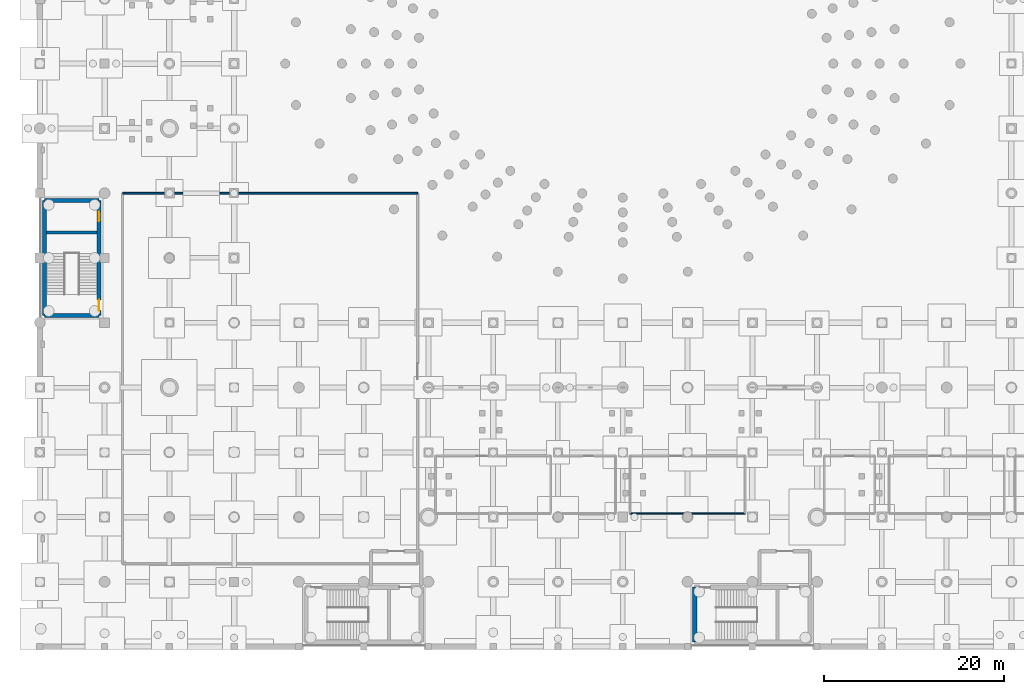
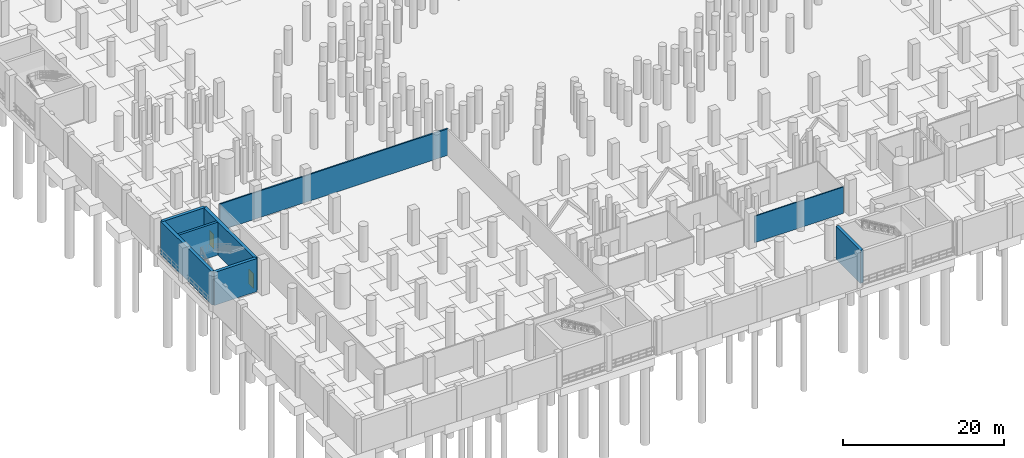
# One storey, part 23 of 37: 8 walls, 2 doors, 2 openings.
"""IFC4 building model written with IfcOpenShell, lengths in metres."""

from ifc_helpers import new_model, si_unit, direction, frame, frame_2d, origin, place, context, subcontext, project, spatial, rectangle, extrude, material, layer, layer_set, type_object, element, fill, save


model = new_model("IFC4")

# Units and contexts
model_context = context("Model", 3, precision=1e-05, world=origin(), true_north=direction((0.0, 1.0)))
body_context = subcontext(model_context, "Body", "Model", "MODEL_VIEW")
ifc_project = project(units=[si_unit("LENGTHUNIT", "METRE"), si_unit("AREAUNIT", "SQUARE_METRE"), si_unit("VOLUMEUNIT", "CUBIC_METRE"), si_unit("PLANEANGLEUNIT", "RADIAN"), si_unit("MASSUNIT", "GRAM", prefix="KILO")], contexts=[model_context])

# Site, building, storey
site_placement = place(None, origin())
site = spatial("IfcSite", under=ifc_project, at=site_placement, CompositionType="ELEMENT")
building_placement = place(site_placement, origin())
building = spatial("IfcBuilding", under=site, at=building_placement, Name="Qandorah Velis Arena", CompositionType="ELEMENT")
storey_placement = place(building_placement, frame((0.0, 0.0, -5.39990234375)))
storey = spatial("IfcBuildingStorey", under=building, at=storey_placement, Name="B1", CompositionType="ELEMENT", Elevation=-5.39990234375)

# Walls
ifc_material_1 = material(Name="Concrete C35/45", Category="concrete")
ifc_layer_1 = layer(ifc_material_1, 0.199951171875)
ifc_layer_set_1 = layer_set([ifc_layer_1], Name="Concrete C35/45")
wall_type_1 = type_object("IfcWallType", Name="ARC-WAL-FD60-200", PredefinedType="PARTITIONING", material=ifc_layer_set_1)
wall_1_placement = place(storey_placement, frame((42.0, 50.39990234375, 0.0), z_axis=(0.0, 0.0, 1.0), x_axis=(-1.0, 0.0, 0.0)))
element("IfcWall", 1, at=wall_1_placement, inside=storey, type_object=wall_type_1, Name="Interior partition B1-CP-HALL (N)", PredefinedType="PARTITIONING", context=body_context, shape_type="SweptSolid", body=[
    extrude(rectangle(XDim=32.800048828125, YDim=0.199951171875, at=frame_2d((16.39990234375, 0.0))), origin(), (0.0, 0.0, 1.0), 4.039794921875),
])
ifc_layer_2 = layer(ifc_material_1, 0.14990234375)
ifc_layer_set_2 = layer_set([ifc_layer_2], Name="Concrete C35/45")
wall_type_2 = type_object("IfcWallType", Name="ARC-WAL-PART150", PredefinedType="PARTITIONING", material=ifc_layer_set_2)
wall_2_placement = place(storey_placement, frame((65.60009765625, 14.800048828125, 0.0), z_axis=(0.0, 0.0, 1.0), x_axis=(1.0, 0.0, 0.0)))
element("IfcWall", 2, at=wall_2_placement, inside=storey, type_object=wall_type_2, Name="Interior partition B1-ATH-AWAY (S)", PredefinedType="PARTITIONING", context=body_context, shape_type="SweptSolid", body=[
    extrude(rectangle(XDim=12.7998046875, YDim=0.14990234375, at=frame_2d((6.39990234375, 0.0))), origin(), (0.0, 0.0, 1.0), 4.039794921875),
])
ifc_material_2 = material(Name="Concrete C40/50", Category="concrete")
ifc_layer_3 = layer(ifc_material_2, 0.449951171875)
ifc_layer_set_3 = layer_set([ifc_layer_3], Name="Concrete C40/50")
wall_type_3 = type_object("IfcWallType", Name="STR-WAL-CORE450", PredefinedType="SHEAR", material=ifc_layer_set_3)
for number, where, z_axis, x_axis, name in (
    (3, (72.800048828125, 0.5, 0.0), (0.0, 0.0, 1.0), (0.0, 1.0, 0.0), "Core CORE-02 shear wall W (B1)"),
    (4, (0.5, 36.800048828125, 0.0), (0.0, 0.0, 1.0), (1.0, 0.0, 0.0), "Core CORE-05 shear wall S (B1)"),
    (5, (0.5, 49.60009765625, 0.0), (0.0, 0.0, 1.0), (1.0, 0.0, 0.0), "Core CORE-05 shear wall N (B1)"),
):
    element("IfcWall", number, at=place(storey_placement, frame(where, z_axis=z_axis, x_axis=x_axis)), inside=storey, type_object=wall_type_3, Name=name, PredefinedType="SHEAR", context=body_context, shape_type="SweptSolid", body=[
        extrude(rectangle(XDim=6.10009765625, YDim=0.449951171875, at=frame_2d((3.050048828125, 0.0))), origin(), (0.0, 0.0, 1.0), 5.02001953125),
    ])
wall_3_placement = place(storey_placement, frame((0.5, 36.800048828125, 0.0), z_axis=(0.0, 0.0, 1.0), x_axis=(0.0, 1.0, 0.0)))
element("IfcWall", 6, at=wall_3_placement, inside=storey, type_object=wall_type_3, Name="Core CORE-05 shear wall W (B1)", PredefinedType="SHEAR", context=body_context, shape_type="SweptSolid", body=[
    extrude(rectangle(XDim=12.800048828125, YDim=0.449951171875, at=frame_2d((6.39990234375, 0.0))), origin(), (0.0, 0.0, 1.0), 5.02001953125),
])

# Wall, openings, doors
wall_4_placement = place(storey_placement, frame((6.60009765625, 36.800048828125, 0.0), z_axis=(0.0, 0.0, 1.0), x_axis=(0.0, 1.0, 0.0)))
wall_4 = element("IfcWall", 7, at=wall_4_placement, inside=storey, type_object=wall_type_3, Name="Core CORE-05 shear wall E (B1)", PredefinedType="SHEAR", context=body_context, shape_type="SweptSolid", body=[
    extrude(rectangle(XDim=12.800048828125, YDim=0.449951171875, at=frame_2d((6.39990234375, 0.0))), origin(), (0.0, 0.0, 1.0), 5.02001953125),
])
opening_1_placement = place(wall_4_placement, frame((0.550048828125, 0.0, 0.0)))
opening_1 = element("IfcOpeningElement", 8, at=opening_1_placement, cuts=wall_4, Name="Opening SD1", PredefinedType="OPENING", context=body_context, shape_type="SweptSolid", body=[
    extrude(rectangle(XDim=1.199951171875, YDim=2.25, at=frame_2d((0.60009765625, 1.125))), frame((0.0, 0.23486328125, 0.0), z_axis=(0.0, -1.0, 0.0), x_axis=(1.0, 0.0, 0.0)), (0.0, 0.0, 1.0), 0.469970703125),
])
opening_2_placement = place(wall_4_placement, frame((10.4580078125, 0.0, 0.0)))
opening_2 = element("IfcOpeningElement", 9, at=opening_2_placement, cuts=wall_4, Name="Opening LD1", PredefinedType="OPENING", context=body_context, shape_type="SweptSolid", body=[
    extrude(rectangle(XDim=1.10009765625, YDim=2.199951171875, at=frame_2d((0.550048828125, 1.10009765625))), frame((0.0, 0.23486328125, 0.0), z_axis=(0.0, -1.0, 0.0), x_axis=(1.0, 0.0, 0.0)), (0.0, 0.0, 1.0), 0.469970703125),
])
ifc_material_3 = material(Name="Stainless steel sliding lift landing door", Category="steel")
door_type_1 = type_object("IfcDoorType", Name="ARC-DR-LD1100", OperationType="NOTDEFINED", PredefinedType="DOOR", material=ifc_material_3)
door_1_placement = place(opening_2_placement, origin())
door_1 = element("IfcDoor", 10, at=door_1_placement, inside=storey, type_object=door_type_1, Name="Lift PL3 sliding landing door (B1)", OperationType="SLIDING_TO_LEFT", OverallHeight=2.199951171875, OverallWidth=1.10009765625, PredefinedType="DOOR", context=body_context, shape_type="SweptSolid", body=[
    extrude(rectangle(XDim=1.10009765625, YDim=2.199951171875, at=frame_2d((0.550048828125, 1.10009765625))), frame((0.0, 0.02490234375, 0.0), z_axis=(0.0, -1.0, 0.0), x_axis=(1.0, 0.0, 0.0)), (0.0, 0.0, 1.0), 0.050048828125),
])
fill(opening_2, door_1)
ifc_material_4 = material(Name="Self-closing fire-rated stair steel door", Category="steel")
door_type_2 = type_object("IfcDoorType", Name="ARC-DR-ST1200", OperationType="NOTDEFINED", PredefinedType="DOOR", material=ifc_material_4)
door_2_placement = place(opening_1_placement, origin())
door_2 = element("IfcDoor", 11, at=door_2_placement, inside=storey, type_object=door_type_2, Name="Stair ST5 fire door (B1)", OperationType="SINGLE_SWING_RIGHT", OverallHeight=2.25, OverallWidth=1.199951171875, PredefinedType="DOOR", context=body_context, shape_type="SweptSolid", body=[
    extrude(rectangle(XDim=1.199951171875, YDim=2.25, at=frame_2d((0.60009765625, 1.125))), frame((0.0, 0.02490234375, 0.0), z_axis=(0.0, -1.0, 0.0), x_axis=(1.0, 0.0, 0.0)), (0.0, 0.0, 1.0), 0.050048828125),
])
fill(opening_1, door_2)

# Wall
ifc_layer_4 = layer(ifc_material_2, 0.35009765625)
ifc_layer_set_4 = layer_set([ifc_layer_4], Name="Concrete C40/50")
wall_type_4 = type_object("IfcWallType", Name="STR-WAL-SH350", PredefinedType="SHEAR", material=ifc_layer_set_4)
wall_5_placement = place(storey_placement, frame((0.72509765625, 46.01611328125, 0.0), z_axis=(0.0, 0.0, 1.0), x_axis=(1.0, 0.0, 0.0)))
element("IfcWall", 12, at=wall_5_placement, inside=storey, type_object=wall_type_4, Name="Core CORE-05 shaft divider shear wall (B1)", PredefinedType="SHEAR", context=body_context, shape_type="SweptSolid", body=[
    extrude(rectangle(XDim=5.64990234375, YDim=0.35009765625, at=frame_2d((2.824951171875, 0.0))), origin(), (0.0, 0.0, 1.0), 5.02001953125),
])

save(model, "model.ifc")
